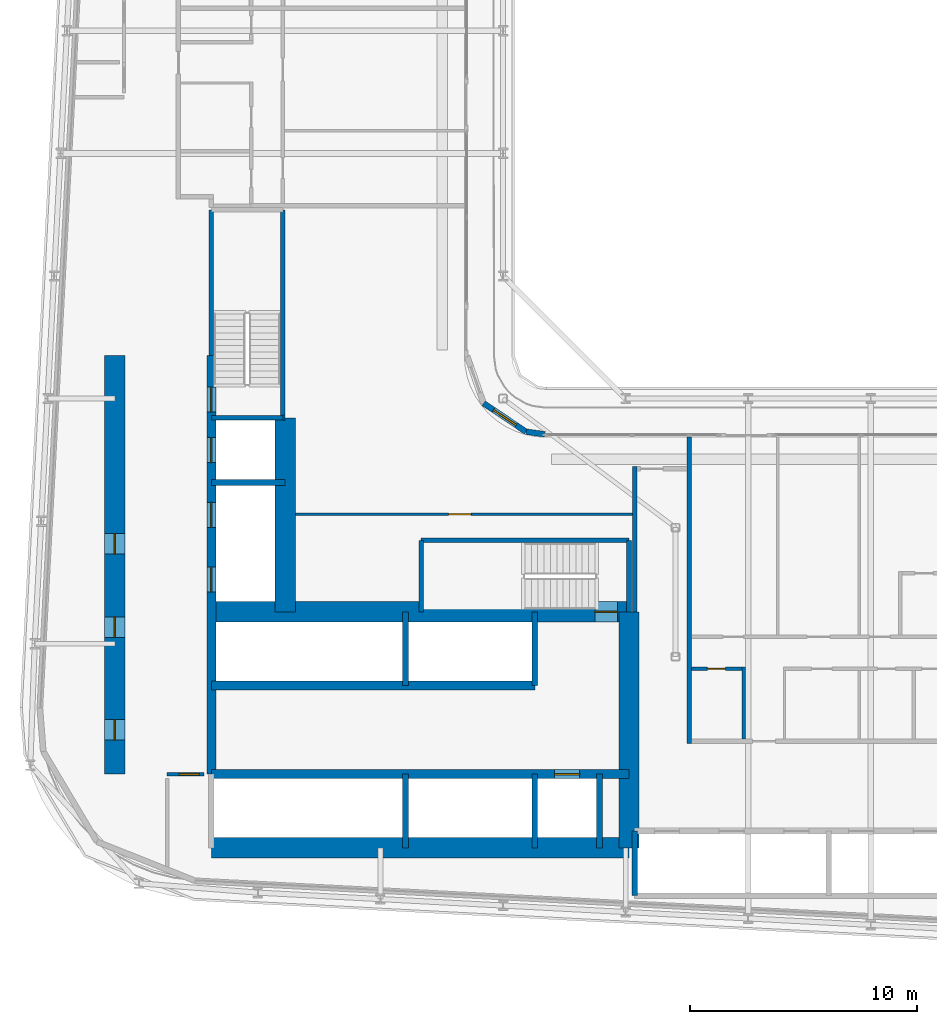
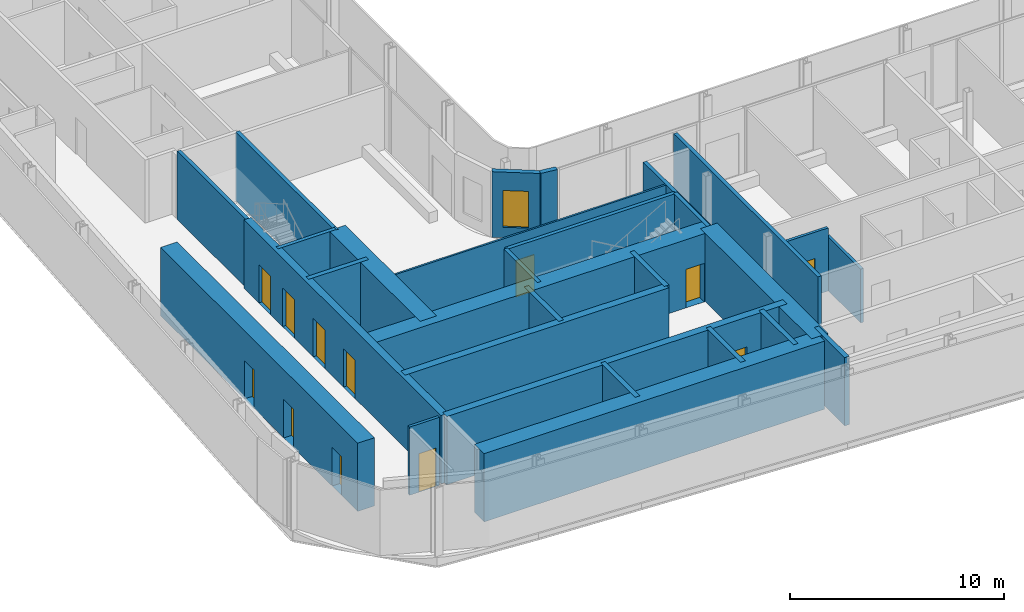
# One storey, part 13 of 27: 30 walls, 12 doors, 1 window, 13 openings.
"""IFC4 building model written with IfcOpenShell, lengths in metres."""

import ifcopenshell
import ifcopenshell.guid

model = None  # the IFC model being written
_history = None  # IfcOwnerHistory: only IFC2X3 demands one
_inside = {}  # id of a spatial element -> (the spatial element, [elements in it])
_under = {}  # id of a project, library or spatial element -> (it, [spatial elements below it])
_declared = {}  # id of a project -> (the project, [libraries it declares])
_typed = {}  # id of a type object -> (the type object, [elements of that type])
_made_of = {}  # id of a material, layer set ... -> (it, [elements and type objects made of it])


def new_model(schema):
    """Start an empty IFC model of exactly this schema.

    Asked for "IFC4X3", IfcOpenShell would pick the latest addendum, in which some entities
    have other attributes; the version numbers below select the first issue.
    IFC2X3 requires an IfcOwnerHistory on every rooted entity: one is made here for all.
    """
    global model, _history
    if schema == "IFC4X3":
        model = ifcopenshell.file(schema_version=(4, 3, 0, 0))
    else:
        model = ifcopenshell.file(schema=schema)
    _inside.clear()
    _under.clear()
    _declared.clear()
    _typed.clear()
    _made_of.clear()
    _history = None
    if model.schema == "IFC2X3":
        org = make("IfcOrganization", Name="unknown")
        user = make(
            "IfcPersonAndOrganization",
            ThePerson=make("IfcPerson", FamilyName="unknown"),
            TheOrganization=org,
        )
        app = make(
            "IfcApplication",
            ApplicationDeveloper=org,
            Version="unknown",
            ApplicationFullName="unknown",
            ApplicationIdentifier="unknown",
        )
        _history = make(
            "IfcOwnerHistory",
            OwningUser=user,
            OwningApplication=app,
            ChangeAction="ADDED",
            CreationDate=0,
        )
    return model


def make(cls, **values):
    """One entity of the class cls with the attributes given. An attribute that is None is left unset."""
    return model.create_entity(
        cls, **{name: value for name, value in values.items() if value is not None}
    )


def rooted(cls, **values):
    """An entity with a GlobalId (a new one), such as an element, a storey or a relation."""
    return make(cls, GlobalId=ifcopenshell.guid.new(), OwnerHistory=_history, **values)


def si_unit(unit_type, name, prefix=None):
    """IfcSIUnit, for example si_unit("LENGTHUNIT", "METRE", prefix="MILLI")."""
    return make("IfcSIUnit", UnitType=unit_type, Prefix=prefix, Name=name)


def assignment(units):
    """IfcUnitAssignment: the units of a project."""
    return None if units is None else make("IfcUnitAssignment", Units=units)


def point(xyz):
    """IfcCartesianPoint."""
    return None if xyz is None else make("IfcCartesianPoint", Coordinates=xyz)


def direction(xyz):
    """IfcDirection."""
    return None if xyz is None else make("IfcDirection", DirectionRatios=xyz)


def frame(location, z_axis=None, x_axis=None):
    """IfcAxis2Placement3D, a coordinate frame: its origin and axes. An axis left out is left unset."""
    return make(
        "IfcAxis2Placement3D",
        Location=point(location),
        Axis=direction(z_axis),
        RefDirection=direction(x_axis),
    )


def frame_2d(location, x_axis=None):
    """IfcAxis2Placement2D, a coordinate frame in the plane: its origin and x axis."""
    return make(
        "IfcAxis2Placement2D", Location=point(location), RefDirection=direction(x_axis)
    )


def origin():
    """The frame at (0, 0, 0) with its axes left unset."""
    return frame((0.0, 0.0, 0.0))


def place(relative_to, where):
    """IfcLocalPlacement: puts the frame where relative to a parent placement (None: the world)."""
    return make(
        "IfcLocalPlacement", PlacementRelTo=relative_to, RelativePlacement=where
    )


def context(
    kind, dimensions, precision=None, world=None, true_north=None, identifier=None
):
    """IfcGeometricRepresentationContext, for example the 3D "Model" context."""
    return make(
        "IfcGeometricRepresentationContext",
        ContextIdentifier=identifier,
        ContextType=kind,
        CoordinateSpaceDimension=dimensions,
        Precision=precision,
        WorldCoordinateSystem=world,
        TrueNorth=true_north,
    )


def subcontext(parent, identifier, kind, view, scale=None):
    """IfcGeometricRepresentationSubContext, for example "Body" below "Model"."""
    return make(
        "IfcGeometricRepresentationSubContext",
        ContextIdentifier=identifier,
        ContextType=kind,
        ParentContext=parent,
        TargetScale=scale,
        TargetView=view,
    )


def project(units=None, contexts=None):
    """IfcProject with its units and contexts."""
    return rooted(
        "IfcProject",
        Name="project",
        RepresentationContexts=contexts,
        UnitsInContext=assignment(units),
    )


def spatial(cls, under=None, at=None, **own):
    """A site, building, storey or space (cls), placed at a placement, below another one or the project."""
    s = rooted(cls, ObjectPlacement=at, **own)
    if under is not None:
        _under.setdefault(under.id(), (under, []))[1].append(s)
    return s


def profile(cls, at=None, kind="AREA", **sizes):
    """A parametric profile (cls). Its sizes go by their IFC names, for example OverallWidth=200.0."""
    return make(cls, ProfileType=kind, Position=at, **sizes)


def rectangle(**sizes):
    """IfcRectangleProfileDef."""
    return profile("IfcRectangleProfileDef", **sizes)


def extrude(swept, where, along, depth):
    """IfcExtrudedAreaSolid: the profile swept, set in the frame where, extruded along a direction by depth."""
    return make(
        "IfcExtrudedAreaSolid",
        SweptArea=swept,
        Position=where,
        ExtrudedDirection=direction(along),
        Depth=depth,
    )


def shape(context_of_items, identifier, shape_type, items):
    """IfcShapeRepresentation: the items that make up one representation, for example the "Body"."""
    return make(
        "IfcShapeRepresentation",
        ContextOfItems=context_of_items,
        RepresentationIdentifier=identifier,
        RepresentationType=shape_type,
        Items=items,
    )


def source(mapping_origin, context_of_items, identifier, shape_type, items):
    """IfcRepresentationMap: a shape defined once, which mapped items show again and again."""
    return make(
        "IfcRepresentationMap",
        MappingOrigin=mapping_origin,
        MappedRepresentation=shape(context_of_items, identifier, shape_type, items),
    )


def transform(
    local_origin,
    x_axis=None,
    y_axis=None,
    z_axis=None,
    scale=None,
    scale2=None,
    scale3=None,
    uniform=True,
):
    """IfcCartesianTransformationOperator3D, or its non-uniform kind. x_axis, y_axis, z_axis: its Axis1, 2, 3."""
    if uniform:
        return make(
            "IfcCartesianTransformationOperator3D",
            Axis1=direction(x_axis),
            Axis2=direction(y_axis),
            LocalOrigin=point(local_origin),
            Scale=scale,
            Axis3=direction(z_axis),
        )
    return make(
        "IfcCartesianTransformationOperator3DnonUniform",
        Axis1=direction(x_axis),
        Axis2=direction(y_axis),
        LocalOrigin=point(local_origin),
        Scale=scale,
        Axis3=direction(z_axis),
        Scale2=scale2,
        Scale3=scale3,
    )


def mapped(mapping_source, mapping_target):
    """IfcMappedItem: shows the shape of a source again, moved by a transform."""
    return make(
        "IfcMappedItem", MappingSource=mapping_source, MappingTarget=mapping_target
    )


def material(Name=None, Category=None):
    """IfcMaterial."""
    return make("IfcMaterial", Name=Name, Category=Category)


def layer(
    of_material, thickness, ventilated=None, Name=None, Category=None, Priority=None
):
    """IfcMaterialLayer: one layer of a wall or slab, of a material (None: an air gap)."""
    return make(
        "IfcMaterialLayer",
        Material=of_material,
        LayerThickness=thickness,
        IsVentilated=ventilated,
        Name=Name,
        Category=Category,
        Priority=Priority,
    )


def layer_set(layers, Name=None):
    """IfcMaterialLayerSet."""
    return make("IfcMaterialLayerSet", MaterialLayers=layers, LayerSetName=Name)


def made_of(thing, what):
    """Note that an element or type object is made of a material, layer set ...; save() writes the relation."""
    if what is not None:
        _made_of.setdefault(what.id(), (what, []))[1].append(thing)
    return thing


def type_object(cls, material=None, **own):
    """A type object (cls), such as IfcWallType, which elements share."""
    return made_of(rooted(cls, **own), material)


def element(
    cls,
    number,
    at=None,
    inside=None,
    cuts=None,
    type_object=None,
    material=None,
    context=None,
    identifier="Body",
    shape_type=None,
    held_by="IfcProductDefinitionShape",
    body=None,
    shapes=None,
    **own,
):
    """One element of the class cls, such as IfcWall. Its Tag is "e" and its number.

    at: its placement. inside: the storey or other place that contains it. cuts: it is an
    opening in that element (IfcRelVoidsElement). A single representation is given by context,
    identifier, shape_type and body (its items); several are given by shapes. held_by: the class
    of the entity that holds the representations. save() writes the other relations.
    """
    e = rooted(cls, Tag="e%d" % number, ObjectPlacement=at, **own)
    if body is not None:
        shapes = [shape(context, identifier, shape_type, body)]
    if shapes is not None:
        e.Representation = make(held_by, Representations=shapes)
    if inside is not None:
        _inside.setdefault(inside.id(), (inside, []))[1].append(e)
    if cuts is not None:
        rooted(
            "IfcRelVoidsElement", RelatingBuildingElement=cuts, RelatedOpeningElement=e
        )
    if type_object is not None:
        _typed.setdefault(type_object.id(), (type_object, []))[1].append(e)
    return made_of(e, material)


def fill(opening, filler):
    """IfcRelFillsElement: the door or window that sits in an opening."""
    return rooted(
        "IfcRelFillsElement",
        RelatingOpeningElement=opening,
        RelatedBuildingElement=filler,
    )


def aggregate(whole, parts):
    """IfcRelAggregates: a whole, such as a stair, and the parts it consists of."""
    return rooted("IfcRelAggregates", RelatingObject=whole, RelatedObjects=parts)


def save(model, path):
    """Write the relations noted so far, then the file.

    IfcRelAggregates (storeys below a building ...), IfcRelContainedInSpatialStructure (elements
    in a storey), IfcRelDefinesByType, IfcRelAssociatesMaterial and IfcRelDeclares: one each for
    every whole, place, type object, material and project.
    """
    for whole, parts in _under.values():
        aggregate(whole, parts)
    for where, things in _inside.values():
        rooted(
            "IfcRelContainedInSpatialStructure",
            RelatedElements=things,
            RelatingStructure=where,
        )
    for kind, things in _typed.values():
        rooted("IfcRelDefinesByType", RelatedObjects=things, RelatingType=kind)
    for what, things in _made_of.values():
        rooted("IfcRelAssociatesMaterial", RelatedObjects=things, RelatingMaterial=what)
    for by, libraries in _declared.values():
        rooted("IfcRelDeclares", RelatingContext=by, RelatedDefinitions=libraries)
    model.write(path)


model = new_model("IFC4")

# Units and contexts
model_context = context("Model", 3, precision=1e-05, world=origin(), true_north=direction((0.0, 1.0)))
body_context = subcontext(model_context, "Body", "Model", "MODEL_VIEW")
ifc_project = project(units=[si_unit("LENGTHUNIT", "METRE"), si_unit("AREAUNIT", "SQUARE_METRE"), si_unit("VOLUMEUNIT", "CUBIC_METRE"), si_unit("PLANEANGLEUNIT", "RADIAN"), si_unit("MASSUNIT", "GRAM", prefix="KILO")], contexts=[model_context])

# Site, building, storey
site_placement = place(None, origin())
site = spatial("IfcSite", under=ifc_project, at=site_placement, CompositionType="ELEMENT")
building_placement = place(site_placement, origin())
building = spatial("IfcBuilding", under=site, at=building_placement, Name="Kheshtan School and Residences Tower", CompositionType="ELEMENT")
storey_placement = place(building_placement, frame((0.0, 0.0, 98.0)))
storey = spatial("IfcBuildingStorey", under=building, at=storey_placement, Name="L22", CompositionType="ELEMENT", Elevation=98.0)

# Wall, opening, door
ifc_material_1 = material(Name="Concrete C50/60", Category="concrete")
ifc_layer_1 = layer(ifc_material_1, 0.39990234375)
ifc_layer_set_1 = layer_set([ifc_layer_1], Name="Core wall 400 Concrete C50/60")
wall_type_1 = type_object("IfcWallType", Name="Core wall 400 Concrete C50/60", PredefinedType="SHEAR", material=ifc_layer_set_1)
wall_1_placement = place(storey_placement, frame((34.75, 29.050048828125, 0.0), z_axis=(0.0, 0.0, 1.0), x_axis=(1.0, 0.0, 0.0)))
wall_1 = element("IfcWall", 1, at=wall_1_placement, inside=storey, type_object=wall_type_1, Name="Core wall CW-HALL-S1", PredefinedType="SHEAR", context=body_context, shape_type="SweptSolid", body=[
    extrude(rectangle(XDim=18.39990234375, YDim=0.39990234375, at=frame_2d((9.199951171875, 0.0))), origin(), (0.0, 0.0, 1.0), 3.89990234375),
])
opening_1_placement = place(wall_1_placement, frame((15.125, 0.0, 0.0)))
opening_1 = element("IfcOpeningElement", 2, at=opening_1_placement, cuts=wall_1, Name="Opening LD", PredefinedType="OPENING", context=body_context, shape_type="SweptSolid", body=[
    extrude(rectangle(XDim=1.10009765625, YDim=2.199951171875, at=frame_2d((0.550048828125, 1.10009765625))), frame((0.0, 0.2099609375, 0.0), z_axis=(0.0, -1.0, 0.0), x_axis=(1.0, 0.0, 0.0)), (0.0, 0.0, 1.0), 0.419921875),
])
ifc_material_2 = material(Name="Stainless steel door leaves", Category="steel")
door_type_1 = type_object("IfcDoorType", Name="Lift landing door 1100", OperationType="SLIDING_TO_LEFT", PredefinedType="DOOR", material=ifc_material_2)
shared_shape_1 = source(origin(), body_context, "Body", "SweptSolid", [
    extrude(rectangle(XDim=1.10009765625, YDim=2.199951171875, at=frame_2d((0.550048828125, 1.10009765625))), frame((0.0, 0.02490234375, 0.0), z_axis=(0.0, -1.0, 0.0), x_axis=(1.0, 0.0, 0.0)), (0.0, 0.0, 1.0), 0.050048828125),
])
door_1_placement = place(opening_1_placement, origin())
door_1 = element("IfcDoor", 3, at=door_1_placement, inside=storey, type_object=door_type_1, Name="Lift FFL2 landing door", OperationType="SLIDING_TO_LEFT", OverallHeight=2.199951171875, OverallWidth=1.10009765625, PredefinedType="DOOR", context=body_context, shape_type="MappedRepresentation", body=[
    mapped(shared_shape_1, transform((0.0, 0.0, 0.0), x_axis=(1.0, 0.0, 0.0), y_axis=(0.0, 1.0, 0.0), z_axis=(0.0, 0.0, 1.0), scale=1.0)),
])
fill(opening_1, door_1)

# Wall
wall_2_placement = place(storey_placement, frame((34.75, 32.949951171875, 0.0), z_axis=(0.0, 0.0, 1.0), x_axis=(1.0, 0.0, 0.0)))
element("IfcWall", 4, at=wall_2_placement, inside=storey, type_object=wall_type_1, Name="Core wall CW-HALL-S2", PredefinedType="SHEAR", context=body_context, shape_type="SweptSolid", body=[
    extrude(rectangle(XDim=14.25, YDim=0.39990234375, at=frame_2d((7.125, 0.0))), origin(), (0.0, 0.0, 1.0), 3.89990234375),
])

# Wall, openings, doors
wall_3_placement = place(storey_placement, frame((34.75, 29.050048828125, 0.0), z_axis=(0.0, 0.0, 1.0), x_axis=(0.0, 1.0, 0.0)))
wall_3 = element("IfcWall", 5, at=wall_3_placement, inside=storey, type_object=wall_type_1, Name="Core wall CW-HALL-W1", PredefinedType="SHEAR", context=body_context, shape_type="SweptSolid", body=[
    extrude(rectangle(XDim=18.449951171875, YDim=0.39990234375, at=frame_2d((9.22509765625, 0.0))), origin(), (0.0, 0.0, 1.0), 3.89990234375),
])
opening_2_placement = place(wall_3_placement, frame((8.02490234375, 0.0, 0.0)))
opening_2 = element("IfcOpeningElement", 6, at=opening_2_placement, cuts=wall_3, Name="Opening LD", PredefinedType="OPENING", context=body_context, shape_type="SweptSolid", body=[
    extrude(rectangle(XDim=1.10009765625, YDim=2.199951171875, at=frame_2d((0.550048828125, 1.10009765625))), frame((0.0, 0.2099609375, 0.0), z_axis=(0.0, -1.0, 0.0), x_axis=(1.0, 0.0, 0.0)), (0.0, 0.0, 1.0), 0.419921875),
])
opening_3_placement = place(wall_3_placement, frame((10.875, 0.0, 0.0)))
opening_3 = element("IfcOpeningElement", 7, at=opening_3_placement, cuts=wall_3, Name="Opening LD", PredefinedType="OPENING", context=body_context, shape_type="SweptSolid", body=[
    extrude(rectangle(XDim=1.10009765625, YDim=2.199951171875, at=frame_2d((0.550048828125, 1.10009765625))), frame((0.0, 0.2099609375, 0.0), z_axis=(0.0, -1.0, 0.0), x_axis=(1.0, 0.0, 0.0)), (0.0, 0.0, 1.0), 0.419921875),
])
opening_4_placement = place(wall_3_placement, frame((13.72509765625, 0.0, 0.0)))
opening_4 = element("IfcOpeningElement", 8, at=opening_4_placement, cuts=wall_3, Name="Opening LD", PredefinedType="OPENING", context=body_context, shape_type="SweptSolid", body=[
    extrude(rectangle(XDim=1.10009765625, YDim=2.199951171875, at=frame_2d((0.550048828125, 1.10009765625))), frame((0.0, 0.2099609375, 0.0), z_axis=(0.0, -1.0, 0.0), x_axis=(1.0, 0.0, 0.0)), (0.0, 0.0, 1.0), 0.419921875),
])
opening_5_placement = place(wall_3_placement, frame((15.949951171875, 0.0, 0.0)))
opening_5 = element("IfcOpeningElement", 9, at=opening_5_placement, cuts=wall_3, Name="Opening ST2D", PredefinedType="OPENING", context=body_context, shape_type="SweptSolid", body=[
    extrude(rectangle(XDim=1.10009765625, YDim=2.199951171875, at=frame_2d((0.550048828125, 1.10009765625))), frame((0.0, 0.2099609375, 0.0), z_axis=(0.0, -1.0, 0.0), x_axis=(1.0, 0.0, 0.0)), (0.0, 0.0, 1.0), 0.419921875),
])
door_2_placement = place(opening_2_placement, origin())
door_2 = element("IfcDoor", 10, at=door_2_placement, inside=storey, type_object=door_type_1, Name="Lift SV1 landing door", OperationType="SLIDING_TO_LEFT", OverallHeight=2.199951171875, OverallWidth=1.10009765625, PredefinedType="DOOR", context=body_context, shape_type="MappedRepresentation", body=[
    mapped(shared_shape_1, transform((0.0, 0.0, 0.0), x_axis=(1.0, 0.0, 0.0), y_axis=(0.0, 1.0, 0.0), z_axis=(0.0, 0.0, 1.0), scale=1.0)),
])
fill(opening_2, door_2)
door_3_placement = place(opening_3_placement, origin())
door_3 = element("IfcDoor", 11, at=door_3_placement, inside=storey, type_object=door_type_1, Name="Lift SV2 landing door", OperationType="SLIDING_TO_LEFT", OverallHeight=2.199951171875, OverallWidth=1.10009765625, PredefinedType="DOOR", context=body_context, shape_type="MappedRepresentation", body=[
    mapped(shared_shape_1, transform((0.0, 0.0, 0.0), x_axis=(1.0, 0.0, 0.0), y_axis=(0.0, 1.0, 0.0), z_axis=(0.0, 0.0, 1.0), scale=1.0)),
])
fill(opening_3, door_3)
door_4_placement = place(opening_4_placement, origin())
door_4 = element("IfcDoor", 12, at=door_4_placement, inside=storey, type_object=door_type_1, Name="Lift FFL1 landing door", OperationType="SLIDING_TO_LEFT", OverallHeight=2.199951171875, OverallWidth=1.10009765625, PredefinedType="DOOR", context=body_context, shape_type="MappedRepresentation", body=[
    mapped(shared_shape_1, transform((0.0, 0.0, 0.0), x_axis=(1.0, 0.0, 0.0), y_axis=(0.0, 1.0, 0.0), z_axis=(0.0, 0.0, 1.0), scale=1.0)),
])
fill(opening_4, door_4)
ifc_material_3 = material(Name="Steel door leaf, galvanised", Category="steel")
door_type_2 = type_object("IfcDoorType", Name="Stair door 1100 steel 90 min", OperationType="SINGLE_SWING_LEFT", PredefinedType="DOOR", material=ifc_material_3)
shared_shape_2 = source(origin(), body_context, "Body", "SweptSolid", [
    extrude(rectangle(XDim=1.10009765625, YDim=2.199951171875, at=frame_2d((0.550048828125, 1.10009765625))), frame((0.0, 0.02490234375, 0.0), z_axis=(0.0, -1.0, 0.0), x_axis=(1.0, 0.0, 0.0)), (0.0, 0.0, 1.0), 0.050048828125),
])
door_5_placement = place(opening_5_placement, origin())
door_5 = element("IfcDoor", 13, at=door_5_placement, inside=storey, type_object=door_type_2, Name="Stair ST2 door", OperationType="SINGLE_SWING_RIGHT", OverallHeight=2.199951171875, OverallWidth=1.10009765625, PredefinedType="DOOR", context=body_context, shape_type="MappedRepresentation", body=[
    mapped(shared_shape_2, transform((0.0, 0.0, 0.0), x_axis=(1.0, 0.0, 0.0), y_axis=(0.0, 1.0, 0.0), z_axis=(0.0, 0.0, 1.0), scale=1.0)),
])
fill(opening_5, door_5)

# Wall
ifc_material_4 = material(Name="Concrete C80/95", Category="concrete")
ifc_layer_2 = layer(ifc_material_4, 0.89990234375)
ifc_layer_set_2 = layer_set([ifc_layer_2], Name="Core wall 900 Concrete C80/95")
wall_type_2 = type_object("IfcWallType", Name="Core wall 900 Concrete C80/95", PredefinedType="SHEAR", material=ifc_layer_set_2)
wall_4_placement = place(storey_placement, frame((34.75, 25.800048828125, 0.0), z_axis=(0.0, 0.0, 1.0), x_axis=(1.0, 0.0, 0.0)))
element("IfcWall", 14, at=wall_4_placement, inside=storey, type_object=wall_type_2, Name="Core wall CW-REAR-S", PredefinedType="SHEAR", context=body_context, shape_type="SweptSolid", body=[
    extrude(rectangle(XDim=18.39990234375, YDim=0.89990234375, at=frame_2d((9.199951171875, 0.0))), origin(), (0.0, 0.0, 1.0), 3.89990234375),
])

# Wall, opening, door
wall_5_placement = place(storey_placement, frame((34.75, 36.199951171875, 0.0), z_axis=(0.0, 0.0, 1.0), x_axis=(1.0, 0.0, 0.0)))
wall_5 = element("IfcWall", 15, at=wall_5_placement, inside=storey, type_object=wall_type_2, Name="Core wall CW-FRONT-S", PredefinedType="SHEAR", context=body_context, shape_type="SweptSolid", body=[
    extrude(rectangle(XDim=18.39990234375, YDim=0.89990234375, at=frame_2d((9.199951171875, 0.0))), origin(), (0.0, 0.0, 1.0), 3.89990234375),
])
opening_6_placement = place(wall_5_placement, frame((16.89990234375, 0.0, 0.0)))
opening_6 = element("IfcOpeningElement", 16, at=opening_6_placement, cuts=wall_5, Name="Opening ST1D", PredefinedType="OPENING", context=body_context, shape_type="SweptSolid", body=[
    extrude(rectangle(XDim=1.0, YDim=2.199951171875, at=frame_2d((0.5, 1.10009765625))), frame((0.0, 0.4599609375, 0.0), z_axis=(0.0, -1.0, 0.0), x_axis=(1.0, 0.0, 0.0)), (0.0, 0.0, 1.0), 0.919921875),
])
shared_shape_3 = source(origin(), body_context, "Body", "SweptSolid", [
    extrude(rectangle(XDim=1.0, YDim=2.199951171875, at=frame_2d((0.5, 1.10009765625))), frame((0.0, 0.02490234375, 0.0), z_axis=(0.0, -1.0, 0.0), x_axis=(1.0, 0.0, 0.0)), (0.0, 0.0, 1.0), 0.050048828125),
])
door_6_placement = place(opening_6_placement, origin())
door_6 = element("IfcDoor", 17, at=door_6_placement, inside=storey, type_object=door_type_2, Name="Stair ST1 door", OperationType="SINGLE_SWING_RIGHT", OverallHeight=2.199951171875, OverallWidth=1.0, PredefinedType="DOOR", context=body_context, shape_type="MappedRepresentation", body=[
    mapped(shared_shape_3, transform((0.0, 0.0, 0.0), x_axis=(1.0, 0.0, 0.0), y_axis=(0.0, 1.0, 0.0), z_axis=(0.0, 0.0, 1.0), scale=1.0)),
])
fill(opening_6, door_6)

# Wall
wall_6_placement = place(storey_placement, frame((38.0, 36.199951171875, 0.0), z_axis=(0.0, 0.0, 1.0), x_axis=(0.0, 1.0, 0.0)))
element("IfcWall", 18, at=wall_6_placement, inside=storey, type_object=wall_type_2, Name="Core wall CW-FRONT-W", PredefinedType="SHEAR", context=body_context, shape_type="SweptSolid", body=[
    extrude(rectangle(XDim=8.550048828125, YDim=0.89990234375, at=frame_2d((4.27490234375, 0.0))), origin(), (0.0, 0.0, 1.0), 3.89990234375),
])

# Wall, openings, doors
wall_7_placement = place(storey_placement, frame((30.5, 29.050048828125, 0.0), z_axis=(0.0, 0.0, 1.0), x_axis=(0.0, 1.0, 0.0)))
wall_7 = element("IfcWall", 19, at=wall_7_placement, inside=storey, type_object=wall_type_2, Name="Core wall CW-REAR-W", PredefinedType="SHEAR", context=body_context, shape_type="SweptSolid", body=[
    extrude(rectangle(XDim=18.449951171875, YDim=0.89990234375, at=frame_2d((9.22509765625, 0.0))), origin(), (0.0, 0.0, 1.0), 3.89990234375),
])
opening_7_placement = place(wall_7_placement, frame((1.5, 0.0, 0.0)))
opening_7 = element("IfcOpeningElement", 20, at=opening_7_placement, cuts=wall_7, Name="Opening SR90", PredefinedType="OPENING", context=body_context, shape_type="SweptSolid", body=[
    extrude(rectangle(XDim=0.89990234375, YDim=2.199951171875, at=frame_2d((0.449951171875, 1.10009765625))), frame((0.0, 0.4599609375, 0.0), z_axis=(0.0, -1.0, 0.0), x_axis=(1.0, 0.0, 0.0)), (0.0, 0.0, 1.0), 0.919921875),
])
opening_8_placement = place(wall_7_placement, frame((6.030029296875, 0.0, 0.0)))
opening_8 = element("IfcOpeningElement", 21, at=opening_8_placement, cuts=wall_7, Name="Opening SR90", PredefinedType="OPENING", context=body_context, shape_type="SweptSolid", body=[
    extrude(rectangle(XDim=0.89990234375, YDim=2.199951171875, at=frame_2d((0.449951171875, 1.10009765625))), frame((0.0, 0.4599609375, 0.0), z_axis=(0.0, -1.0, 0.0), x_axis=(1.0, 0.0, 0.0)), (0.0, 0.0, 1.0), 0.919921875),
])
opening_9_placement = place(wall_7_placement, frame((9.699951171875, 0.0, 0.0)))
opening_9 = element("IfcOpeningElement", 22, at=opening_9_placement, cuts=wall_7, Name="Opening SR90", PredefinedType="OPENING", context=body_context, shape_type="SweptSolid", body=[
    extrude(rectangle(XDim=0.89990234375, YDim=2.199951171875, at=frame_2d((0.449951171875, 1.10009765625))), frame((0.0, 0.4599609375, 0.0), z_axis=(0.0, -1.0, 0.0), x_axis=(1.0, 0.0, 0.0)), (0.0, 0.0, 1.0), 0.919921875),
])
door_type_3 = type_object("IfcDoorType", Name="Service room door 900 steel 90 min", OperationType="SINGLE_SWING_LEFT", PredefinedType="DOOR", material=ifc_material_3)
shared_shape_4 = source(origin(), body_context, "Body", "SweptSolid", [
    extrude(rectangle(XDim=0.89990234375, YDim=2.199951171875, at=frame_2d((0.449951171875, 1.10009765625))), frame((0.0, 0.02490234375, 0.0), z_axis=(0.0, -1.0, 0.0), x_axis=(1.0, 0.0, 0.0)), (0.0, 0.0, 1.0), 0.050048828125),
])
door_7_placement = place(opening_7_placement, origin())
door_7 = element("IfcDoor", 23, at=door_7_placement, inside=storey, type_object=door_type_3, Name="Service room door", OperationType="SINGLE_SWING_LEFT", OverallHeight=2.199951171875, OverallWidth=0.89990234375, PredefinedType="DOOR", context=body_context, shape_type="MappedRepresentation", body=[
    mapped(shared_shape_4, transform((0.0, 0.0, 0.0), x_axis=(1.0, 0.0, 0.0), y_axis=(0.0, 1.0, 0.0), z_axis=(0.0, 0.0, 1.0), scale=1.0)),
])
fill(opening_7, door_7)
door_8_placement = place(opening_8_placement, origin())
door_8 = element("IfcDoor", 24, at=door_8_placement, inside=storey, type_object=door_type_3, Name="Service room door", OperationType="SINGLE_SWING_RIGHT", OverallHeight=2.199951171875, OverallWidth=0.89990234375, PredefinedType="DOOR", context=body_context, shape_type="MappedRepresentation", body=[
    mapped(shared_shape_4, transform((0.0, 0.0, 0.0), x_axis=(1.0, 0.0, 0.0), y_axis=(0.0, 1.0, 0.0), z_axis=(0.0, 0.0, 1.0), scale=1.0)),
])
fill(opening_8, door_8)
door_9_placement = place(opening_9_placement, origin())
door_9 = element("IfcDoor", 25, at=door_9_placement, inside=storey, type_object=door_type_3, Name="Service room door", OperationType="SINGLE_SWING_LEFT", OverallHeight=2.199951171875, OverallWidth=0.89990234375, PredefinedType="DOOR", context=body_context, shape_type="MappedRepresentation", body=[
    mapped(shared_shape_4, transform((0.0, 0.0, 0.0), x_axis=(1.0, 0.0, 0.0), y_axis=(0.0, 1.0, 0.0), z_axis=(0.0, 0.0, 1.0), scale=1.0)),
])
fill(opening_9, door_9)

# Walls
wall_8_placement = place(storey_placement, frame((53.14990234375, 25.800048828125, 0.0), z_axis=(0.0, 0.0, 1.0), x_axis=(0.0, 1.0, 0.0)))
element("IfcWall", 26, at=wall_8_placement, inside=storey, type_object=wall_type_2, Name="Core wall CW-EAST", PredefinedType="SHEAR", context=body_context, shape_type="SweptSolid", body=[
    extrude(rectangle(XDim=10.39990234375, YDim=0.89990234375, at=frame_2d((5.199951171875, 0.0))), origin(), (0.0, 0.0, 1.0), 3.89990234375),
])
ifc_material_5 = material(Name="Gypsum board on steel studs with fire boards", Category="steel")
ifc_layer_3 = layer(ifc_material_5, 0.199951171875)
ifc_layer_set_3 = layer_set([ifc_layer_3], Name="Corridor wall 200")
wall_type_3 = type_object("IfcWallType", Name="Corridor wall 200", PredefinedType="PARTITIONING", material=ifc_layer_set_3)
wall_9_placement = place(storey_placement, frame((53.39990234375, 36.198974609375, 0.0), z_axis=(0.0, 0.0, 1.0), x_axis=(0.0, 1.0, 0.0)))
element("IfcWall", 27, at=wall_9_placement, inside=storey, type_object=wall_type_3, Name="Partition L22-030", PredefinedType="PARTITIONING", context=body_context, shape_type="SweptSolid", body=[
    extrude(rectangle(XDim=6.401123046875, YDim=0.199951171875, at=frame_2d((3.20068359375, 0.0))), origin(), (0.0, 0.0, 1.0), 3.60009765625),
])

# Wall, opening, window
ifc_material_6 = material(Name="Concrete C40/50 with ceramic cladding and mineral wool insulation", Category="concrete")
ifc_layer_4 = layer(ifc_material_6, 0.25)
ifc_layer_set_4 = layer_set([ifc_layer_4], Name="External wall 250 ceramic clad")
wall_type_4 = type_object("IfcWallType", Name="External wall 250 ceramic clad", PredefinedType="SOLIDWALL", material=ifc_layer_set_4)
wall_10_placement = place(storey_placement, frame((46.742919921875, 45.388916015625, 0.0), z_axis=(0.0, 0.0, 1.0), x_axis=(0.831449265529, -0.555600682912, 0.0)))
wall_10 = element("IfcWall", 28, at=wall_10_placement, inside=storey, type_object=wall_type_4, Name="External wall L22 6", PredefinedType="SOLIDWALL", context=body_context, shape_type="SweptSolid", body=[
    extrude(rectangle(XDim=2.25146484375, YDim=0.25, at=frame_2d((1.125732421875, 0.0))), origin(), (0.0, 0.0, 1.0), 3.75),
])
opening_10_placement = place(wall_10_placement, frame((0.52490234375, 0.0, 0.60009765625)))
opening_10 = element("IfcOpeningElement", 29, at=opening_10_placement, cuts=wall_10, Name="Opening WN-E", PredefinedType="OPENING", context=body_context, shape_type="SweptSolid", body=[
    extrude(rectangle(XDim=1.199951171875, YDim=2.10009765625, at=frame_2d((0.60009765625, 1.050048828125))), frame((0.0, 0.135009765625, 0.0), z_axis=(0.0, -1.0, 0.0), x_axis=(1.0, 0.0, 0.0)), (0.0, 0.0, 1.0), 0.27001953125),
])
ifc_material_7 = material(Name="Clear low-e glass in thermally broken aluminium frame", Category="aluminium")
window_type = type_object("IfcWindowType", Name="Window WN-E", PartitioningType="SINGLE_PANEL", PredefinedType="WINDOW", material=ifc_material_7)
shared_shape_5 = source(origin(), body_context, "Body", "SweptSolid", [
    extrude(rectangle(XDim=1.199951171875, YDim=2.10009765625, at=frame_2d((0.60009765625, 1.050048828125))), frame((0.0, 0.030029296875, 0.0), z_axis=(0.0, -1.0, 0.0), x_axis=(1.0, 0.0, 0.0)), (0.0, 0.0, 1.0), 0.06005859375),
])
window_placement = place(opening_10_placement, origin())
window = element("IfcWindow", 30, at=window_placement, inside=storey, type_object=window_type, Name="Window L22 6", OverallHeight=2.10009765625, OverallWidth=1.199951171875, PartitioningType="SINGLE_PANEL", PredefinedType="WINDOW", context=body_context, shape_type="MappedRepresentation", body=[
    mapped(shared_shape_5, transform((0.0, 0.0, 0.0), x_axis=(1.0, 0.0, 0.0), y_axis=(0.0, 1.0, 0.0), z_axis=(0.0, 0.0, 1.0), scale=1.0)),
])
fill(opening_10, window)

# Wall
wall_11_placement = place(storey_placement, frame((48.614990234375, 44.137939453125, 0.0), z_axis=(0.0, 0.0, 1.0), x_axis=(0.990741504246, -0.135761819977, 0.0)))
element("IfcWall", 31, at=wall_11_placement, inside=storey, type_object=wall_type_4, Name="External wall L22 7", PredefinedType="SOLIDWALL", context=body_context, shape_type="SweptSolid", body=[
    extrude(rectangle(XDim=0.83984375, YDim=0.25, at=frame_2d((0.419921875, 0.0))), origin(), (0.0, 0.0, 1.0), 3.75),
])

# Wall, opening, door
ifc_material_8 = material(Name="Gypsum board on steel studs", Category="steel")
ifc_layer_5 = layer(ifc_material_8, 0.10009765625)
ifc_layer_set_5 = layer_set([ifc_layer_5], Name="Gypsum partition 100")
wall_type_5 = type_object("IfcWallType", Name="Gypsum partition 100", PredefinedType="PARTITIONING", material=ifc_layer_set_5)
wall_12_placement = place(storey_placement, frame((38.448974609375, 40.5, 0.0), z_axis=(0.0, 0.0, 1.0), x_axis=(1.0, 0.0, 0.0)))
wall_12 = element("IfcWall", 32, at=wall_12_placement, inside=storey, type_object=wall_type_5, Name="Partition L22-028", PredefinedType="PARTITIONING", context=body_context, shape_type="SweptSolid", body=[
    extrude(rectangle(XDim=14.85107421875, YDim=0.10009765625, at=frame_2d((7.425537109375, 0.0))), origin(), (0.0, 0.0, 1.0), 3.60009765625),
])
opening_11_placement = place(wall_12_placement, frame((6.7509765625, 0.0, 0.0)))
opening_11 = element("IfcOpeningElement", 33, at=opening_11_placement, cuts=wall_12, Name="Opening D21-049", PredefinedType="OPENING", context=body_context, shape_type="SweptSolid", body=[
    extrude(rectangle(XDim=1.0, YDim=2.10009765625, at=frame_2d((0.5, 1.050048828125))), frame((0.0, 0.06005859375, 0.0), z_axis=(0.0, -1.0, 0.0), x_axis=(1.0, 0.0, 0.0)), (0.0, 0.0, 1.0), 0.1201171875),
])
ifc_material_9 = material(Name="Veneered timber door leaf", Category="wood")
door_type_4 = type_object("IfcDoorType", Name="Door 1000 x 2100", OperationType="SINGLE_SWING_LEFT", PredefinedType="DOOR", material=ifc_material_9)
shared_shape_6 = source(origin(), body_context, "Body", "SweptSolid", [
    extrude(rectangle(XDim=1.0, YDim=2.10009765625, at=frame_2d((0.5, 1.050048828125))), frame((0.0, 0.02490234375, 0.0), z_axis=(0.0, -1.0, 0.0), x_axis=(1.0, 0.0, 0.0)), (0.0, 0.0, 1.0), 0.050048828125),
])
door_10_placement = place(opening_11_placement, origin())
door_10 = element("IfcDoor", 34, at=door_10_placement, inside=storey, type_object=door_type_4, Name="Door D21-049", OperationType="SINGLE_SWING_LEFT", OverallHeight=2.10009765625, OverallWidth=1.0, PredefinedType="DOOR", context=body_context, shape_type="MappedRepresentation", body=[
    mapped(shared_shape_6, transform((0.0, 0.0, 0.0), x_axis=(1.0, 0.0, 0.0), y_axis=(0.0, 1.0, 0.0), z_axis=(0.0, 0.0, 1.0), scale=1.0)),
])
fill(opening_11, door_10)

ifc_material_10 = material(Name="Fire-board shaft wall system")
ifc_layer_6 = layer(ifc_material_10, 0.14990234375)
ifc_layer_set_6 = layer_set([ifc_layer_6], Name="Service room wall 150")
wall_type_6 = type_object("IfcWallType", Name="Service room wall 150", PredefinedType="PARTITIONING", material=ifc_layer_set_6)
wall_13_placement = place(storey_placement, frame((32.804931640625, 29.050048828125, 0.0), z_axis=(0.0, 0.0, 1.0), x_axis=(1.0, 0.0, 0.0)))
wall_13 = element("IfcWall", 35, at=wall_13_placement, inside=storey, type_object=wall_type_6, Name="Service room wall", PredefinedType="PARTITIONING", context=body_context, shape_type="SweptSolid", body=[
    extrude(rectangle(XDim=1.625, YDim=0.14990234375, at=frame_2d((0.8125, 0.0))), origin(), (0.0, 0.0, 1.0), 3.89990234375),
])
opening_12_placement = place(wall_13_placement, frame((0.52294921875, 0.0, 0.0)))
opening_12 = element("IfcOpeningElement", 36, at=opening_12_placement, cuts=wall_13, Name="Opening SR90", PredefinedType="OPENING", context=body_context, shape_type="SweptSolid", body=[
    extrude(rectangle(XDim=0.89990234375, YDim=2.199951171875, at=frame_2d((0.449951171875, 1.10009765625))), frame((0.0, 0.0849609375, 0.0), z_axis=(0.0, -1.0, 0.0), x_axis=(1.0, 0.0, 0.0)), (0.0, 0.0, 1.0), 0.169921875),
])
door_11_placement = place(opening_12_placement, origin())
door_11 = element("IfcDoor", 37, at=door_11_placement, inside=storey, type_object=door_type_3, Name="Service room door", OperationType="SINGLE_SWING_LEFT", OverallHeight=2.199951171875, OverallWidth=0.89990234375, PredefinedType="DOOR", context=body_context, shape_type="MappedRepresentation", body=[
    mapped(shared_shape_4, transform((0.0, 0.0, 0.0), x_axis=(1.0, 0.0, 0.0), y_axis=(0.0, 1.0, 0.0), z_axis=(0.0, 0.0, 1.0), scale=1.0)),
])
fill(opening_12, door_11)

# Walls
ifc_layer_7 = layer(ifc_material_10, 0.25)
ifc_layer_set_7 = layer_set([ifc_layer_7], Name="Shaft lining wall 250")
wall_type_7 = type_object("IfcWallType", Name="Shaft lining wall 250", PredefinedType="PARTITIONING", material=ifc_layer_set_7)
for number, where, z_axis, x_axis, name in (
    (38, (43.300048828125, 25.800048828125, 0.0), (0.0, 0.0, 1.0), (0.0, 1.0, 0.0), "Shaft lining wall"),
    (39, (43.300048828125, 32.949951171875, 0.0), (0.0, 0.0, 1.0), (0.0, 1.0, 0.0), "Shaft lining wall"),
    (40, (49.0, 25.800048828125, 0.0), (0.0, 0.0, 1.0), (0.0, 1.0, 0.0), "Shaft lining wall"),
    (41, (49.0, 32.949951171875, 0.0), (0.0, 0.0, 1.0), (0.0, 1.0, 0.0), "Shaft lining wall"),
    (42, (51.85009765625, 25.800048828125, 0.0), (0.0, 0.0, 1.0), (0.0, 1.0, 0.0), "Shaft lining wall"),
):
    element("IfcWall", number, at=place(storey_placement, frame(where, z_axis=z_axis, x_axis=x_axis)), inside=storey, type_object=wall_type_7, Name=name, PredefinedType="PARTITIONING", context=body_context, shape_type="SweptSolid", body=[
        extrude(rectangle(XDim=3.25, YDim=0.25, at=frame_2d((1.625, 0.0))), origin(), (0.0, 0.0, 1.0), 3.89990234375),
    ])
wall_14_placement = place(storey_placement, frame((53.39990234375, 23.699951171875, 0.0), z_axis=(0.0, 0.0, 1.0), x_axis=(0.0, 1.0, 0.0)))
element("IfcWall", 43, at=wall_14_placement, inside=storey, type_object=wall_type_7, Name="Shaft lining wall", PredefinedType="PARTITIONING", context=body_context, shape_type="SweptSolid", body=[
    extrude(rectangle(XDim=2.85009765625, YDim=0.25, at=frame_2d((1.425048828125, 0.0))), origin(), (0.0, 0.0, 1.0), 3.89990234375),
])
wall_15_placement = place(storey_placement, frame((34.75, 41.89990234375, 0.0), z_axis=(0.0, 0.0, 1.0), x_axis=(1.0, 0.0, 0.0)))
element("IfcWall", 44, at=wall_15_placement, inside=storey, type_object=wall_type_7, Name="Shaft lining wall", PredefinedType="PARTITIONING", context=body_context, shape_type="SweptSolid", body=[
    extrude(rectangle(XDim=3.25, YDim=0.25, at=frame_2d((1.625, 0.0))), origin(), (0.0, 0.0, 1.0), 3.89990234375),
])
wall_16_placement = place(storey_placement, frame((37.89990234375, 44.75, 0.0), z_axis=(0.0, 0.0, 1.0), x_axis=(1.0, 0.0, 0.0)))
element("IfcWall", 45, at=wall_16_placement, inside=storey, type_object=wall_type_7, Name="Shaft lining wall", PredefinedType="PARTITIONING", context=body_context, shape_type="SweptSolid", body=[
    extrude(rectangle(XDim=0.10009765625, YDim=0.25, at=frame_2d((0.050048828125, 0.0))), origin(), (0.0, 0.0, 1.0), 3.89990234375),
])
ifc_material_11 = material(Name="Concrete C40/50", Category="concrete")
ifc_layer_8 = layer(ifc_material_11, 0.199951171875)
ifc_layer_set_8 = layer_set([ifc_layer_8], Name="Stair enclosure wall 200 Concrete C40/50")
wall_type_8 = type_object("IfcWallType", Name="Stair enclosure wall 200 Concrete C40/50", PredefinedType="SHEAR", material=ifc_layer_set_8)
wall_17_placement = place(storey_placement, frame((43.989990234375, 39.35009765625, 0.0), z_axis=(0.0, 0.0, 1.0), x_axis=(1.0, 0.0, 0.0)))
element("IfcWall", 46, at=wall_17_placement, inside=storey, type_object=wall_type_8, Name="Stair enclosure wall ST1", PredefinedType="SHEAR", context=body_context, shape_type="SweptSolid", body=[
    extrude(rectangle(XDim=9.159912109375, YDim=0.199951171875, at=frame_2d((4.580078125, 0.0))), origin(), (0.0, 0.0, 1.0), 3.89990234375),
])
for number, where, z_axis, x_axis, name in (
    (47, (43.989990234375, 36.199951171875, 0.0), (0.0, 0.0, 1.0), (0.0, 1.0, 0.0), "Stair enclosure wall ST1"),
    (48, (53.14990234375, 36.199951171875, 0.0), (0.0, 0.0, 1.0), (0.0, 1.0, 0.0), "Stair enclosure wall ST1"),
):
    element("IfcWall", number, at=place(storey_placement, frame(where, z_axis=z_axis, x_axis=x_axis)), inside=storey, type_object=wall_type_8, Name=name, PredefinedType="SHEAR", context=body_context, shape_type="SweptSolid", body=[
        extrude(rectangle(XDim=3.150146484375, YDim=0.199951171875, at=frame_2d((1.5751953125, 0.0))), origin(), (0.0, 0.0, 1.0), 3.89990234375),
    ])
wall_18_placement = place(storey_placement, frame((34.75, 44.75, 0.0), z_axis=(0.0, 0.0, 1.0), x_axis=(1.0, 0.0, 0.0)))
element("IfcWall", 49, at=wall_18_placement, inside=storey, type_object=wall_type_8, Name="Stair enclosure wall ST2", PredefinedType="SHEAR", context=body_context, shape_type="SweptSolid", body=[
    extrude(rectangle(XDim=3.14990234375, YDim=0.199951171875, at=frame_2d((1.574951171875, 0.0))), origin(), (0.0, 0.0, 1.0), 3.89990234375),
])
wall_19_placement = place(storey_placement, frame((34.75, 47.5, 0.0), z_axis=(0.0, 0.0, 1.0), x_axis=(0.0, 1.0, 0.0)))
element("IfcWall", 50, at=wall_19_placement, inside=storey, type_object=wall_type_8, Name="Stair enclosure wall ST2", PredefinedType="SHEAR", context=body_context, shape_type="SweptSolid", body=[
    extrude(rectangle(XDim=6.409912109375, YDim=0.199951171875, at=frame_2d((3.205078125, 0.0))), origin(), (0.0, 0.0, 1.0), 3.89990234375),
])
wall_20_placement = place(storey_placement, frame((37.89990234375, 44.75, 0.0), z_axis=(0.0, 0.0, 1.0), x_axis=(0.0, 1.0, 0.0)))
element("IfcWall", 51, at=wall_20_placement, inside=storey, type_object=wall_type_8, Name="Stair enclosure wall ST2", PredefinedType="SHEAR", context=body_context, shape_type="SweptSolid", body=[
    extrude(rectangle(XDim=9.159912109375, YDim=0.199951171875, at=frame_2d((4.580078125, 0.0))), origin(), (0.0, 0.0, 1.0), 3.89990234375),
])
ifc_material_12 = material(Name="Twin gypsum board on steel studs with mineral wool", Category="steel")
ifc_layer_9 = layer(ifc_material_12, 0.199951171875)
ifc_layer_set_9 = layer_set([ifc_layer_9], Name="Unit demising wall 200")
wall_type_9 = type_object("IfcWallType", Name="Unit demising wall 200", PredefinedType="PARTITIONING", material=ifc_layer_set_9)
wall_21_placement = place(storey_placement, frame((55.800048828125, 30.39990234375, 0.0), z_axis=(0.0, 0.0, 1.0), x_axis=(0.0, 1.0, 0.0)))
element("IfcWall", 52, at=wall_21_placement, inside=storey, type_object=wall_type_9, Name="Partition L22-032", PredefinedType="PARTITIONING", context=body_context, shape_type="SweptSolid", body=[
    extrude(rectangle(XDim=13.5, YDim=0.199951171875, at=frame_2d((6.75, 0.0))), origin(), (0.0, 0.0, 1.0), 3.60009765625),
])

# Wall, opening, door
ifc_material_13 = material(Name="Moisture-resistant gypsum board on steel studs", Category="steel")
ifc_layer_10 = layer(ifc_material_13, 0.14990234375)
ifc_layer_set_10 = layer_set([ifc_layer_10], Name="Wet-room partition 150")
wall_type_10 = type_object("IfcWallType", Name="Wet-room partition 150", PredefinedType="PARTITIONING", material=ifc_layer_set_10)
wall_22_placement = place(storey_placement, frame((55.89990234375, 33.699951171875, 0.0), z_axis=(0.0, 0.0, 1.0), x_axis=(1.0, 0.0, 0.0)))
wall_22 = element("IfcWall", 53, at=wall_22_placement, inside=storey, type_object=wall_type_10, Name="Partition L22-034", PredefinedType="PARTITIONING", context=body_context, shape_type="SweptSolid", body=[
    extrude(rectangle(XDim=2.22509765625, YDim=0.14990234375, at=frame_2d((1.112548828125, 0.0))), origin(), (0.0, 0.0, 1.0), 3.60009765625),
])
opening_13_placement = place(wall_22_placement, frame((0.699951171875, 0.0, 0.0)))
opening_13 = element("IfcOpeningElement", 54, at=opening_13_placement, cuts=wall_22, Name="Opening D21-001", PredefinedType="OPENING", context=body_context, shape_type="SweptSolid", body=[
    extrude(rectangle(XDim=0.800048828125, YDim=2.10009765625, at=frame_2d((0.39990234375, 1.050048828125))), frame((0.0, 0.0849609375, 0.0), z_axis=(0.0, -1.0, 0.0), x_axis=(1.0, 0.0, 0.0)), (0.0, 0.0, 1.0), 0.169921875),
])
door_type_5 = type_object("IfcDoorType", Name="Door 800 x 2100", OperationType="SINGLE_SWING_LEFT", PredefinedType="DOOR", material=ifc_material_9)
shared_shape_7 = source(origin(), body_context, "Body", "SweptSolid", [
    extrude(rectangle(XDim=0.800048828125, YDim=2.10009765625, at=frame_2d((0.39990234375, 1.050048828125))), frame((0.0, 0.02490234375, 0.0), z_axis=(0.0, -1.0, 0.0), x_axis=(1.0, 0.0, 0.0)), (0.0, 0.0, 1.0), 0.050048828125),
])
door_12_placement = place(opening_13_placement, origin())
door_12 = element("IfcDoor", 55, at=door_12_placement, inside=storey, type_object=door_type_5, Name="Door D21-001", OperationType="SINGLE_SWING_RIGHT", OverallHeight=2.10009765625, OverallWidth=0.800048828125, PredefinedType="DOOR", context=body_context, shape_type="MappedRepresentation", body=[
    mapped(shared_shape_7, transform((0.0, 0.0, 0.0), x_axis=(1.0, 0.0, 0.0), y_axis=(0.0, 1.0, 0.0), z_axis=(0.0, 0.0, 1.0), scale=1.0)),
])
fill(opening_13, door_12)

# Wall
wall_23_placement = place(storey_placement, frame((58.199951171875, 30.60009765625, 0.0), z_axis=(0.0, 0.0, 1.0), x_axis=(0.0, 1.0, 0.0)))
element("IfcWall", 56, at=wall_23_placement, inside=storey, type_object=wall_type_10, Name="Partition L22-036", PredefinedType="PARTITIONING", context=body_context, shape_type="SweptSolid", body=[
    extrude(rectangle(XDim=3.1748046875, YDim=0.14990234375, at=frame_2d((1.58740234375, 0.0))), origin(), (0.0, 0.0, 1.0), 3.072021484375),
])

save(model, "model.ifc")
